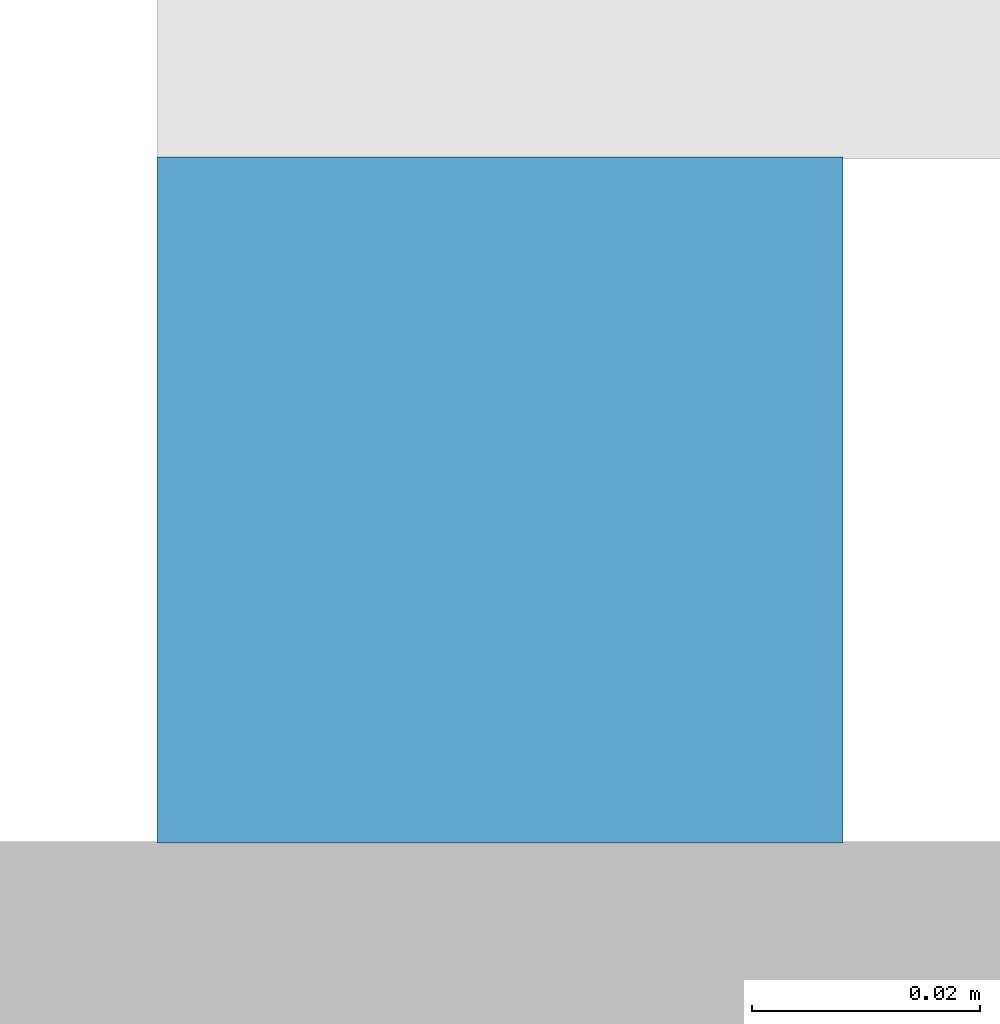
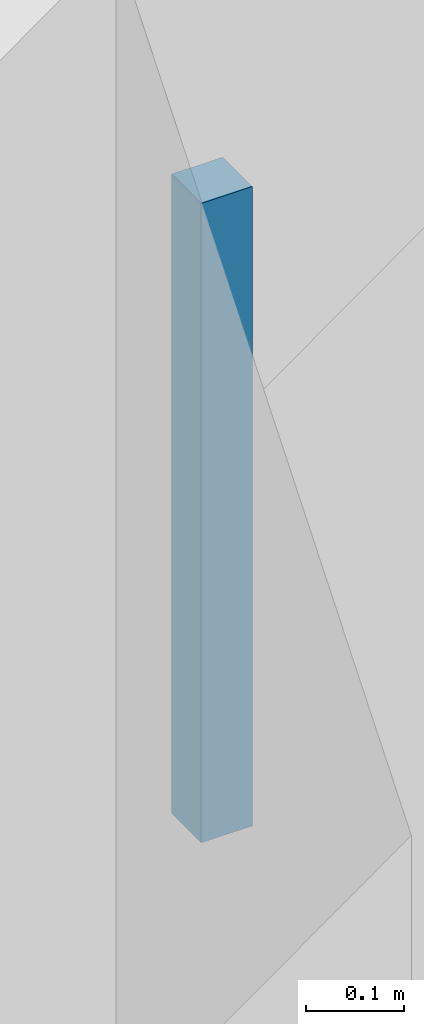
# One storey, part 29 of 45: 1 discrete accessory.
"""IFC4 building model written with IfcOpenShell, lengths in metres."""

from ifc_helpers import new_model, si_unit, direction, frame, origin, origin_2d, place, context, subcontext, project, spatial, rectangle, extrude, material, type_object, element, save


model = new_model("IFC4")

# Units and contexts
model_context = context("Model", 3, precision=1e-05, world=origin(), true_north=direction((0.0, 1.0)))
body_context = subcontext(model_context, "Body", "Model", "MODEL_VIEW")
ifc_project = project(units=[si_unit("LENGTHUNIT", "METRE"), si_unit("AREAUNIT", "SQUARE_METRE"), si_unit("VOLUMEUNIT", "CUBIC_METRE"), si_unit("PLANEANGLEUNIT", "RADIAN"), si_unit("MASSUNIT", "GRAM", prefix="KILO")], contexts=[model_context])

# Site, building, storey
site_placement = place(None, origin())
site = spatial("IfcSite", under=ifc_project, at=site_placement, CompositionType="ELEMENT")
building_placement = place(site_placement, origin())
building = spatial("IfcBuilding", under=site, at=building_placement, Name="Nakaniwa Court", CompositionType="ELEMENT")
storey_placement = place(building_placement, frame((0.0, 0.0, 6.60009765625)))
storey = spatial("IfcBuildingStorey", under=building, at=storey_placement, Name="L01", CompositionType="ELEMENT", Elevation=6.60009765625)

# Discrete accessory
ifc_material = material(Name="Black powder-coated steel bracket S275", Category="steel")
discrete_accessory_type = type_object("IfcDiscreteAccessoryType", Name="Hall black metal louvre bracket", PredefinedType="BRACKET", material=ifc_material)
discrete_accessory_placement = place(storey_placement, frame((170.429931640625, 104.030029296875, 2.828125), z_axis=(0.0, 0.0, 1.0), x_axis=(1.0, 0.0, 0.0)))
element("IfcDiscreteAccessory", 1, at=discrete_accessory_placement, inside=storey, type_object=discrete_accessory_type, Name="Louvre bracket L01 013.1", PredefinedType="BRACKET", context=body_context, shape_type="SweptSolid", body=[
    extrude(rectangle(XDim=0.06005859375, YDim=0.06005859375, at=origin_2d()), origin(), (0.0, 0.0, 1.0), 0.793212890625),
])

save(model, "model.ifc")
